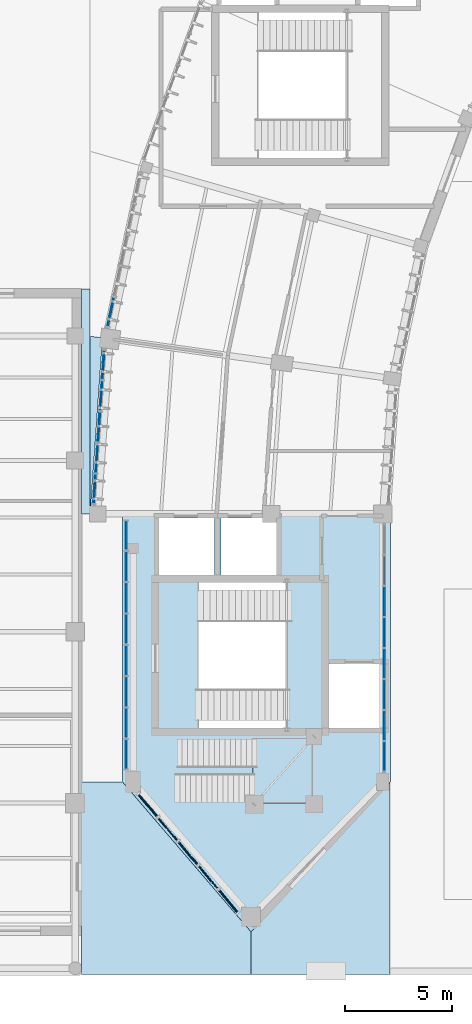
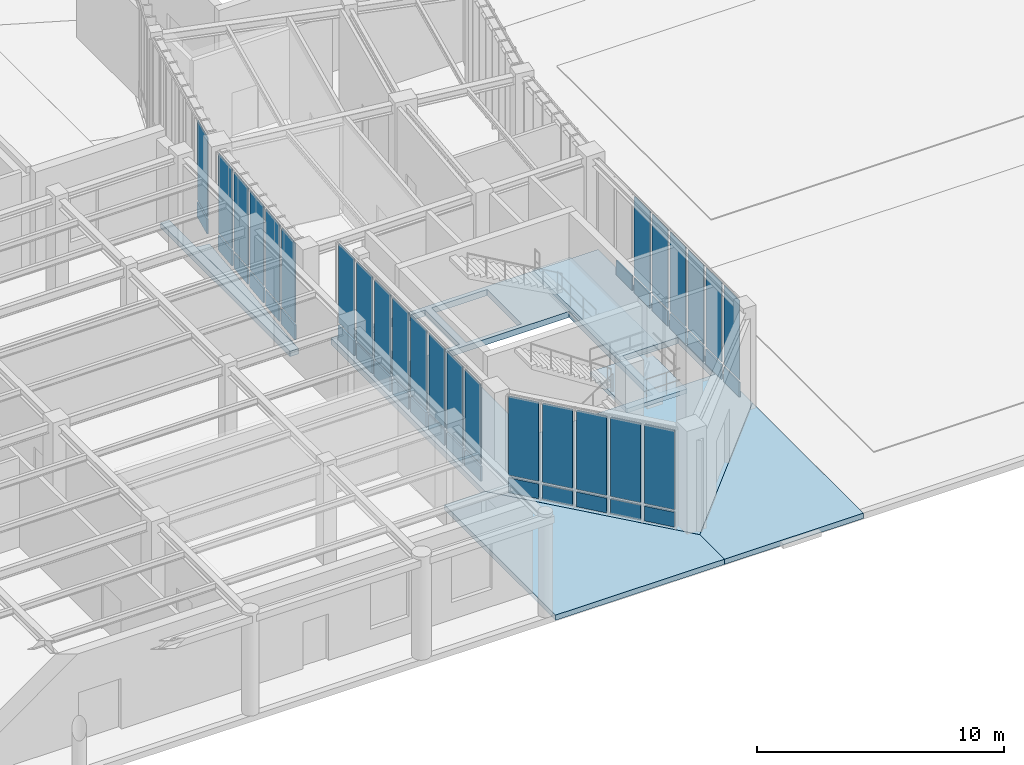
# One storey, part 20 of 68: 51 plates, 7 slabs, 7 elements without a shape of their own.
"""IFC4 building model written with IfcOpenShell, lengths in metres."""

from ifc_helpers import new_model, si_unit, direction, frame, origin, origin_2d, place, context, subcontext, project, spatial, polyline, rectangle, outline, extrude, material, layer, layer_set, type_object, element, aggregate, save


model = new_model("IFC4")

# Units and contexts
model_context = context("Model", 3, precision=1e-05, world=origin(), true_north=direction((0.0, 1.0)))
body_context = subcontext(model_context, "Body", "Model", "MODEL_VIEW")
ifc_project = project(units=[si_unit("LENGTHUNIT", "METRE"), si_unit("AREAUNIT", "SQUARE_METRE"), si_unit("VOLUMEUNIT", "CUBIC_METRE"), si_unit("PLANEANGLEUNIT", "RADIAN"), si_unit("MASSUNIT", "GRAM", prefix="KILO"), si_unit("THERMODYNAMICTEMPERATUREUNIT", "KELVIN"), si_unit("POWERUNIT", "WATT")], contexts=[model_context])

# Site, building, storey
site_placement = place(None, origin())
site = spatial("IfcSite", under=ifc_project, at=site_placement, CompositionType="ELEMENT")
building_placement = place(site_placement, origin())
building = spatial("IfcBuilding", under=site, at=building_placement, Name="Solvatero Civic Police Headquarters", CompositionType="ELEMENT")
storey_placement = place(building_placement, origin())
storey = spatial("IfcBuildingStorey", under=building, at=storey_placement, Name="L00", CompositionType="ELEMENT", Elevation=0.0)

# Curtain wall, plates
ifc_material_1 = material(Name="Anodized Bronze Aluminium", Category="aluminium")
ifc_layer_1 = layer(ifc_material_1, 0.179931640625)
ifc_layer_set_1 = layer_set([ifc_layer_1], Name="Anodized Bronze Aluminium")
curtain_wall_type_1 = type_object("IfcCurtainWallType", Name="CW-ARC-OUT", PredefinedType="USERDEFINED", material=ifc_layer_set_1)
curtain_wall_1_placement = place(storey_placement, origin())
curtain_wall_1 = element("IfcCurtainWall", 1, at=curtain_wall_1_placement, inside=storey, type_object=curtain_wall_type_1, Name="Curtain Wall CW-R2-L00-ARC-OUT-B12", ObjectType="UNITISED", PredefinedType="USERDEFINED")
ifc_material_2 = material(Name="Triple Low-E Laminated Glass", Category="glass")
ifc_layer_2 = layer(ifc_material_2, 0.0380859375)
ifc_layer_set_2 = layer_set([ifc_layer_2], Name="Triple Low-E Laminated Glass")
plate_type_1 = type_object("IfcPlateType", Name="CWP-GLZ-38", PredefinedType="CURTAIN_PANEL", material=ifc_layer_set_2)
plate_1_placement = place(storey_placement, frame((35.50537109375, 31.51171875, 0.91015625), z_axis=(0.0, 0.0, 1.0), x_axis=(-0.069756473744, -0.99756405026, 0.0)))
plate_1 = element("IfcPlate", 2, at=plate_1_placement, type_object=plate_type_1, Name="CW-R2-L00-ARC-OUT-B12 Vision Glazing 2", PredefinedType="CURTAIN_PANEL", context=body_context, shape_type="SweptSolid", body=[
    extrude(rectangle(XDim=1.275390625, YDim=0.0380859375, at=origin_2d()), origin(), (0.0, 0.0, 1.0), 3.909912109375),
])
plate_2_placement = place(storey_placement, frame((35.302490234375, 28.60791015625, 0.91015625), z_axis=(0.0, 0.0, 1.0), x_axis=(-0.069756473744, -0.99756405026, 0.0)))
plate_2 = element("IfcPlate", 3, at=plate_2_placement, type_object=plate_type_1, Name="CW-R2-L00-ARC-OUT-B12 Vision Glazing 4", PredefinedType="CURTAIN_PANEL", context=body_context, shape_type="SweptSolid", body=[
    extrude(rectangle(XDim=1.275390625, YDim=0.0380859375, at=origin_2d()), origin(), (0.0, 0.0, 1.0), 3.909912109375),
])

ifc_layer_3 = layer(ifc_material_1, 0.179931640625)
ifc_layer_set_3 = layer_set([ifc_layer_3], Name="Anodized Bronze Aluminium")
curtain_wall_type_2 = type_object("IfcCurtainWallType", Name="CW-PROW-GLZ", PredefinedType="USERDEFINED", material=ifc_layer_set_3)
curtain_wall_2_placement = place(storey_placement, origin())
curtain_wall_2 = element("IfcCurtainWall", 4, at=curtain_wall_2_placement, inside=storey, type_object=curtain_wall_type_2, Name="Curtain Wall CW-R2-L00-PROW-W", ObjectType="UNITISED", PredefinedType="USERDEFINED")
plate_3_placement = place(storey_placement, frame((36.679931640625, 23.546142578125, 0.91015625), z_axis=(0.0, 0.0, 1.0), x_axis=(0.0, -1.0, 0.0)))
plate_3 = element("IfcPlate", 5, at=plate_3_placement, type_object=plate_type_1, Name="CW-R2-L00-PROW-W Vision Glazing 2", PredefinedType="CURTAIN_PANEL", context=body_context, shape_type="SweptSolid", body=[
    extrude(rectangle(XDim=1.282470703125, YDim=0.0380859375, at=origin_2d()), origin(), (0.0, 0.0, 1.0), 3.909912109375),
])
plate_4_placement = place(storey_placement, frame((36.679931640625, 20.62109375, 0.91015625), z_axis=(0.0, 0.0, 1.0), x_axis=(0.0, -1.0, 0.0)))
plate_4 = element("IfcPlate", 6, at=plate_4_placement, type_object=plate_type_1, Name="CW-R2-L00-PROW-W Vision Glazing 4", PredefinedType="CURTAIN_PANEL", context=body_context, shape_type="SweptSolid", body=[
    extrude(rectangle(XDim=1.282470703125, YDim=0.0380859375, at=origin_2d()), origin(), (0.0, 0.0, 1.0), 3.909912109375),
])
plate_5_placement = place(storey_placement, frame((36.679931640625, 17.6962890625, 0.91015625), z_axis=(0.0, 0.0, 1.0), x_axis=(0.0, -1.0, 0.0)))
plate_5 = element("IfcPlate", 7, at=plate_5_placement, type_object=plate_type_1, Name="CW-R2-L00-PROW-W Vision Glazing 6", PredefinedType="CURTAIN_PANEL", context=body_context, shape_type="SweptSolid", body=[
    extrude(rectangle(XDim=1.282470703125, YDim=0.0380859375, at=origin_2d()), origin(), (0.0, 0.0, 1.0), 3.909912109375),
])
plate_6_placement = place(storey_placement, frame((36.679931640625, 14.771240234375, 0.91015625), z_axis=(0.0, 0.0, 1.0), x_axis=(0.0, -1.0, 0.0)))
plate_6 = element("IfcPlate", 8, at=plate_6_placement, type_object=plate_type_1, Name="CW-R2-L00-PROW-W Vision Glazing 8", PredefinedType="CURTAIN_PANEL", context=body_context, shape_type="SweptSolid", body=[
    extrude(rectangle(XDim=1.282470703125, YDim=0.0380859375, at=origin_2d()), origin(), (0.0, 0.0, 1.0), 3.909912109375),
])

curtain_wall_3_placement = place(storey_placement, origin())
curtain_wall_3 = element("IfcCurtainWall", 9, at=curtain_wall_3_placement, inside=storey, type_object=curtain_wall_type_2, Name="Curtain Wall CW-R2-L00-PROW-E", ObjectType="UNITISED", PredefinedType="USERDEFINED")
plate_7_placement = place(storey_placement, frame((48.719970703125, 14.664794921875, 0.91015625), z_axis=(0.0, 0.0, 1.0), x_axis=(0.0, 1.0, 0.0)))
plate_7 = element("IfcPlate", 10, at=plate_7_placement, type_object=plate_type_1, Name="CW-R2-L00-PROW-E Vision Glazing 1", PredefinedType="CURTAIN_PANEL", context=body_context, shape_type="SweptSolid", body=[
    extrude(rectangle(XDim=1.269287109375, YDim=0.0380859375, at=origin_2d()), origin(), (0.0, 0.0, 1.0), 3.909912109375),
])
plate_8_placement = place(storey_placement, frame((48.719970703125, 17.5634765625, 0.91015625), z_axis=(0.0, 0.0, 1.0), x_axis=(0.0, 1.0, 0.0)))
plate_8 = element("IfcPlate", 11, at=plate_8_placement, type_object=plate_type_1, Name="CW-R2-L00-PROW-E Vision Glazing 3", PredefinedType="CURTAIN_PANEL", context=body_context, shape_type="SweptSolid", body=[
    extrude(rectangle(XDim=1.269287109375, YDim=0.0380859375, at=origin_2d()), origin(), (0.0, 0.0, 1.0), 3.909912109375),
])
plate_9_placement = place(storey_placement, frame((48.719970703125, 20.462158203125, 0.91015625), z_axis=(0.0, 0.0, 1.0), x_axis=(0.0, 1.0, 0.0)))
plate_9 = element("IfcPlate", 12, at=plate_9_placement, type_object=plate_type_1, Name="CW-R2-L00-PROW-E Vision Glazing 5", PredefinedType="CURTAIN_PANEL", context=body_context, shape_type="SweptSolid", body=[
    extrude(rectangle(XDim=1.269287109375, YDim=0.0380859375, at=origin_2d()), origin(), (0.0, 0.0, 1.0), 3.909912109375),
])

curtain_wall_4_placement = place(storey_placement, origin())
curtain_wall_4 = element("IfcCurtainWall", 13, at=curtain_wall_4_placement, inside=storey, type_object=curtain_wall_type_2, Name="Curtain Wall CW-R2-L00-PROW-SW", ObjectType="UNITISED", PredefinedType="USERDEFINED")
plate_10_placement = place(storey_placement, frame((38.619140625, 11.2822265625, 0.91015625), z_axis=(0.0, 0.0, 1.0), x_axis=(0.643282165541, -0.765629189293, 0.0)))
plate_10 = element("IfcPlate", 14, at=plate_10_placement, type_object=plate_type_1, Name="CW-R2-L00-PROW-SW Vision Glazing 2", PredefinedType="CURTAIN_PANEL", context=body_context, shape_type="SweptSolid", body=[
    extrude(rectangle(XDim=1.286376953125, YDim=0.0380859375, at=origin_2d()), origin(), (0.0, 0.0, 1.0), 3.909912109375),
])
plate_11_placement = place(storey_placement, frame((40.505615234375, 9.037109375, 0.91015625), z_axis=(0.0, 0.0, 1.0), x_axis=(0.643282165541, -0.765629189293, 0.0)))
plate_11 = element("IfcPlate", 15, at=plate_11_placement, type_object=plate_type_1, Name="CW-R2-L00-PROW-SW Vision Glazing 4", PredefinedType="CURTAIN_PANEL", context=body_context, shape_type="SweptSolid", body=[
    extrude(rectangle(XDim=1.286376953125, YDim=0.0380859375, at=origin_2d()), origin(), (0.0, 0.0, 1.0), 3.909912109375),
])

# Curtain wall, plate
curtain_wall_5_placement = place(storey_placement, origin())
curtain_wall_5 = element("IfcCurtainWall", 16, at=curtain_wall_5_placement, inside=storey, type_object=curtain_wall_type_1, Name="Curtain Wall CW-R2-L00-ARC-OUT-B11", ObjectType="UNITISED", PredefinedType="USERDEFINED")
ifc_material_3 = material(Name="Acoustic Ballistic Laminated Glass", Category="glass")
ifc_layer_4 = layer(ifc_material_3, 0.0439453125)
ifc_layer_set_4 = layer_set([ifc_layer_4], Name="Acoustic Ballistic Laminated Glass")
plate_type_2 = type_object("IfcPlateType", Name="CWP-GLZ-44", PredefinedType="CURTAIN_PANEL", material=ifc_layer_set_4)
plate_12_placement = place(storey_placement, frame((35.9521484375, 35.41357421875, 0.91015625), z_axis=(0.0, 0.0, 1.0), x_axis=(-0.207911690818, -0.978147600734, 0.0)))
plate_12 = element("IfcPlate", 17, at=plate_12_placement, type_object=plate_type_2, Name="CW-R2-L00-ARC-OUT-B11 Vision Glazing 5", PredefinedType="CURTAIN_PANEL", context=body_context, shape_type="SweptSolid", body=[
    extrude(rectangle(XDim=1.300537109375, YDim=0.0439453125, at=origin_2d()), origin(), (0.0, 0.0, 1.0), 3.909912109375),
])

# Plate
plate_13_placement = place(storey_placement, frame((35.60693359375, 32.963623046875, 0.91015625), z_axis=(0.0, 0.0, 1.0), x_axis=(-0.069756473744, -0.99756405026, 0.0)))
plate_13 = element("IfcPlate", 18, at=plate_13_placement, type_object=plate_type_2, Name="CW-R2-L00-ARC-OUT-B12 Vision Glazing 1", PredefinedType="CURTAIN_PANEL", context=body_context, shape_type="SweptSolid", body=[
    extrude(rectangle(XDim=1.275390625, YDim=0.0439453125, at=origin_2d()), origin(), (0.0, 0.0, 1.0), 3.909912109375),
])

plate_14_placement = place(storey_placement, frame((35.40380859375, 30.059814453125, 0.91015625), z_axis=(0.0, 0.0, 1.0), x_axis=(-0.069756473744, -0.99756405026, 0.0)))
plate_14 = element("IfcPlate", 19, at=plate_14_placement, type_object=plate_type_2, Name="CW-R2-L00-ARC-OUT-B12 Vision Glazing 3", PredefinedType="CURTAIN_PANEL", context=body_context, shape_type="SweptSolid", body=[
    extrude(rectangle(XDim=1.275390625, YDim=0.0439453125, at=origin_2d()), origin(), (0.0, 0.0, 1.0), 3.909912109375),
])

plate_15_placement = place(storey_placement, frame((35.20068359375, 27.156005859375, 0.91015625), z_axis=(0.0, 0.0, 1.0), x_axis=(-0.069756473744, -0.99756405026, 0.0)))
plate_15 = element("IfcPlate", 20, at=plate_15_placement, type_object=plate_type_2, Name="CW-R2-L00-ARC-OUT-B12 Vision Glazing 5", PredefinedType="CURTAIN_PANEL", context=body_context, shape_type="SweptSolid", body=[
    extrude(rectangle(XDim=1.275390625, YDim=0.0439453125, at=origin_2d()), origin(), (0.0, 0.0, 1.0), 3.909912109375),
])

plate_16_placement = place(storey_placement, frame((36.679931640625, 25.0087890625, 0.91015625), z_axis=(0.0, 0.0, 1.0), x_axis=(0.0, -1.0, 0.0)))
plate_16 = element("IfcPlate", 21, at=plate_16_placement, type_object=plate_type_2, Name="CW-R2-L00-PROW-W Vision Glazing 1", PredefinedType="CURTAIN_PANEL", context=body_context, shape_type="SweptSolid", body=[
    extrude(rectangle(XDim=1.282470703125, YDim=0.0439453125, at=origin_2d()), origin(), (0.0, 0.0, 1.0), 3.909912109375),
])

plate_17_placement = place(storey_placement, frame((36.679931640625, 22.083740234375, 0.91015625), z_axis=(0.0, 0.0, 1.0), x_axis=(0.0, -1.0, 0.0)))
plate_17 = element("IfcPlate", 22, at=plate_17_placement, type_object=plate_type_2, Name="CW-R2-L00-PROW-W Vision Glazing 3", PredefinedType="CURTAIN_PANEL", context=body_context, shape_type="SweptSolid", body=[
    extrude(rectangle(XDim=1.282470703125, YDim=0.0439453125, at=origin_2d()), origin(), (0.0, 0.0, 1.0), 3.909912109375),
])

plate_18_placement = place(storey_placement, frame((36.679931640625, 19.15869140625, 0.91015625), z_axis=(0.0, 0.0, 1.0), x_axis=(0.0, -1.0, 0.0)))
plate_18 = element("IfcPlate", 23, at=plate_18_placement, type_object=plate_type_2, Name="CW-R2-L00-PROW-W Vision Glazing 5", PredefinedType="CURTAIN_PANEL", context=body_context, shape_type="SweptSolid", body=[
    extrude(rectangle(XDim=1.282470703125, YDim=0.0439453125, at=origin_2d()), origin(), (0.0, 0.0, 1.0), 3.909912109375),
])

plate_19_placement = place(storey_placement, frame((36.679931640625, 16.23388671875, 0.91015625), z_axis=(0.0, 0.0, 1.0), x_axis=(0.0, -1.0, 0.0)))
plate_19 = element("IfcPlate", 24, at=plate_19_placement, type_object=plate_type_2, Name="CW-R2-L00-PROW-W Vision Glazing 7", PredefinedType="CURTAIN_PANEL", context=body_context, shape_type="SweptSolid", body=[
    extrude(rectangle(XDim=1.282470703125, YDim=0.0439453125, at=origin_2d()), origin(), (0.0, 0.0, 1.0), 3.909912109375),
])

plate_20_placement = place(storey_placement, frame((48.719970703125, 16.114013671875, 0.91015625), z_axis=(0.0, 0.0, 1.0), x_axis=(0.0, 1.0, 0.0)))
plate_20 = element("IfcPlate", 25, at=plate_20_placement, type_object=plate_type_2, Name="CW-R2-L00-PROW-E Vision Glazing 2", PredefinedType="CURTAIN_PANEL", context=body_context, shape_type="SweptSolid", body=[
    extrude(rectangle(XDim=1.269287109375, YDim=0.0439453125, at=origin_2d()), origin(), (0.0, 0.0, 1.0), 3.909912109375),
])

plate_21_placement = place(storey_placement, frame((48.719970703125, 19.0126953125, 0.91015625), z_axis=(0.0, 0.0, 1.0), x_axis=(0.0, 1.0, 0.0)))
plate_21 = element("IfcPlate", 26, at=plate_21_placement, type_object=plate_type_2, Name="CW-R2-L00-PROW-E Vision Glazing 4", PredefinedType="CURTAIN_PANEL", context=body_context, shape_type="SweptSolid", body=[
    extrude(rectangle(XDim=1.269287109375, YDim=0.0439453125, at=origin_2d()), origin(), (0.0, 0.0, 1.0), 3.909912109375),
])

plate_22_placement = place(storey_placement, frame((48.719970703125, 21.91162109375, 0.91015625), z_axis=(0.0, 0.0, 1.0), x_axis=(0.0, 1.0, 0.0)))
plate_22 = element("IfcPlate", 27, at=plate_22_placement, type_object=plate_type_2, Name="CW-R2-L00-PROW-E Vision Glazing 6", PredefinedType="CURTAIN_PANEL", context=body_context, shape_type="SweptSolid", body=[
    extrude(rectangle(XDim=1.269287109375, YDim=0.0439453125, at=origin_2d()), origin(), (0.0, 0.0, 1.0), 3.909912109375),
])

plate_23_placement = place(storey_placement, frame((37.67578125, 12.405029296875, 0.91015625), z_axis=(0.0, 0.0, 1.0), x_axis=(0.643282165541, -0.765629189293, 0.0)))
plate_23 = element("IfcPlate", 28, at=plate_23_placement, type_object=plate_type_2, Name="CW-R2-L00-PROW-SW Vision Glazing 1", PredefinedType="CURTAIN_PANEL", context=body_context, shape_type="SweptSolid", body=[
    extrude(rectangle(XDim=1.286376953125, YDim=0.0439453125, at=origin_2d()), origin(), (0.0, 0.0, 1.0), 3.909912109375),
])

plate_24_placement = place(storey_placement, frame((39.5625, 10.15966796875, 0.91015625), z_axis=(0.0, 0.0, 1.0), x_axis=(0.643282165541, -0.765629189293, 0.0)))
plate_24 = element("IfcPlate", 29, at=plate_24_placement, type_object=plate_type_2, Name="CW-R2-L00-PROW-SW Vision Glazing 3", PredefinedType="CURTAIN_PANEL", context=body_context, shape_type="SweptSolid", body=[
    extrude(rectangle(XDim=1.286376953125, YDim=0.0439453125, at=origin_2d()), origin(), (0.0, 0.0, 1.0), 3.909912109375),
])

plate_25_placement = place(storey_placement, frame((41.448974609375, 7.914306640625, 0.91015625), z_axis=(0.0, 0.0, 1.0), x_axis=(0.643282165541, -0.765629189293, 0.0)))
plate_25 = element("IfcPlate", 30, at=plate_25_placement, type_object=plate_type_2, Name="CW-R2-L00-PROW-SW Vision Glazing 5", PredefinedType="CURTAIN_PANEL", context=body_context, shape_type="SweptSolid", body=[
    extrude(rectangle(XDim=1.286376953125, YDim=0.0439453125, at=origin_2d()), origin(), (0.0, 0.0, 1.0), 3.909912109375),
])

ifc_material_4 = material(Name="Insulated Bronze Aluminium Spandrel", Category="aluminium")
ifc_layer_5 = layer(ifc_material_4, 0.06005859375)
ifc_layer_set_5 = layer_set([ifc_layer_5], Name="Insulated Bronze Aluminium Spandrel")
plate_type_3 = type_object("IfcPlateType", Name="CWP-SPN-60", PredefinedType="CURTAIN_PANEL", material=ifc_layer_set_5)
plate_26_placement = place(storey_placement, frame((35.50537109375, 31.51171875, 0.06005859375), z_axis=(0.0, 0.0, 1.0), x_axis=(-0.069756473744, -0.99756405026, 0.0)))
plate_26 = element("IfcPlate", 31, at=plate_26_placement, type_object=plate_type_3, Name="CW-R2-L00-ARC-OUT-B12 Spandrel Panel 2", PredefinedType="CURTAIN_PANEL", context=body_context, shape_type="SweptSolid", body=[
    extrude(rectangle(XDim=1.275390625, YDim=0.06005859375, at=origin_2d()), origin(), (0.0, 0.0, 1.0), 0.72998046875),
])

plate_27_placement = place(storey_placement, frame((35.302490234375, 28.60791015625, 0.06005859375), z_axis=(0.0, 0.0, 1.0), x_axis=(-0.069756473744, -0.99756405026, 0.0)))
plate_27 = element("IfcPlate", 32, at=plate_27_placement, type_object=plate_type_3, Name="CW-R2-L00-ARC-OUT-B12 Spandrel Panel 4", PredefinedType="CURTAIN_PANEL", context=body_context, shape_type="SweptSolid", body=[
    extrude(rectangle(XDim=1.275390625, YDim=0.06005859375, at=origin_2d()), origin(), (0.0, 0.0, 1.0), 0.72998046875),
])

plate_28_placement = place(storey_placement, frame((36.679931640625, 23.546142578125, 0.06005859375), z_axis=(0.0, 0.0, 1.0), x_axis=(0.0, -1.0, 0.0)))
plate_28 = element("IfcPlate", 33, at=plate_28_placement, type_object=plate_type_3, Name="CW-R2-L00-PROW-W Spandrel Panel 2", PredefinedType="CURTAIN_PANEL", context=body_context, shape_type="SweptSolid", body=[
    extrude(rectangle(XDim=1.282470703125, YDim=0.06005859375, at=origin_2d()), origin(), (0.0, 0.0, 1.0), 0.72998046875),
])

plate_29_placement = place(storey_placement, frame((36.679931640625, 20.62109375, 0.06005859375), z_axis=(0.0, 0.0, 1.0), x_axis=(0.0, -1.0, 0.0)))
plate_29 = element("IfcPlate", 34, at=plate_29_placement, type_object=plate_type_3, Name="CW-R2-L00-PROW-W Spandrel Panel 4", PredefinedType="CURTAIN_PANEL", context=body_context, shape_type="SweptSolid", body=[
    extrude(rectangle(XDim=1.282470703125, YDim=0.06005859375, at=origin_2d()), origin(), (0.0, 0.0, 1.0), 0.72998046875),
])

plate_30_placement = place(storey_placement, frame((36.679931640625, 17.6962890625, 0.06005859375), z_axis=(0.0, 0.0, 1.0), x_axis=(0.0, -1.0, 0.0)))
plate_30 = element("IfcPlate", 35, at=plate_30_placement, type_object=plate_type_3, Name="CW-R2-L00-PROW-W Spandrel Panel 6", PredefinedType="CURTAIN_PANEL", context=body_context, shape_type="SweptSolid", body=[
    extrude(rectangle(XDim=1.282470703125, YDim=0.06005859375, at=origin_2d()), origin(), (0.0, 0.0, 1.0), 0.72998046875),
])

plate_31_placement = place(storey_placement, frame((36.679931640625, 14.771240234375, 0.06005859375), z_axis=(0.0, 0.0, 1.0), x_axis=(0.0, -1.0, 0.0)))
plate_31 = element("IfcPlate", 36, at=plate_31_placement, type_object=plate_type_3, Name="CW-R2-L00-PROW-W Spandrel Panel 8", PredefinedType="CURTAIN_PANEL", context=body_context, shape_type="SweptSolid", body=[
    extrude(rectangle(XDim=1.282470703125, YDim=0.06005859375, at=origin_2d()), origin(), (0.0, 0.0, 1.0), 0.72998046875),
])

plate_32_placement = place(storey_placement, frame((48.719970703125, 14.664794921875, 0.06005859375), z_axis=(0.0, 0.0, 1.0), x_axis=(0.0, 1.0, 0.0)))
plate_32 = element("IfcPlate", 37, at=plate_32_placement, type_object=plate_type_3, Name="CW-R2-L00-PROW-E Spandrel Panel 1", PredefinedType="CURTAIN_PANEL", context=body_context, shape_type="SweptSolid", body=[
    extrude(rectangle(XDim=1.269287109375, YDim=0.06005859375, at=origin_2d()), origin(), (0.0, 0.0, 1.0), 0.72998046875),
])

plate_33_placement = place(storey_placement, frame((48.719970703125, 17.5634765625, 0.06005859375), z_axis=(0.0, 0.0, 1.0), x_axis=(0.0, 1.0, 0.0)))
plate_33 = element("IfcPlate", 38, at=plate_33_placement, type_object=plate_type_3, Name="CW-R2-L00-PROW-E Spandrel Panel 3", PredefinedType="CURTAIN_PANEL", context=body_context, shape_type="SweptSolid", body=[
    extrude(rectangle(XDim=1.269287109375, YDim=0.06005859375, at=origin_2d()), origin(), (0.0, 0.0, 1.0), 0.72998046875),
])

plate_34_placement = place(storey_placement, frame((48.719970703125, 20.462158203125, 0.06005859375), z_axis=(0.0, 0.0, 1.0), x_axis=(0.0, 1.0, 0.0)))
plate_34 = element("IfcPlate", 39, at=plate_34_placement, type_object=plate_type_3, Name="CW-R2-L00-PROW-E Spandrel Panel 5", PredefinedType="CURTAIN_PANEL", context=body_context, shape_type="SweptSolid", body=[
    extrude(rectangle(XDim=1.269287109375, YDim=0.06005859375, at=origin_2d()), origin(), (0.0, 0.0, 1.0), 0.72998046875),
])

plate_35_placement = place(storey_placement, frame((48.719970703125, 23.36083984375, 0.06005859375), z_axis=(0.0, 0.0, 1.0), x_axis=(0.0, 1.0, 0.0)))
plate_35 = element("IfcPlate", 40, at=plate_35_placement, type_object=plate_type_3, Name="CW-R2-L00-PROW-E Spandrel Panel 7", PredefinedType="CURTAIN_PANEL", context=body_context, shape_type="SweptSolid", body=[
    extrude(rectangle(XDim=1.269287109375, YDim=0.06005859375, at=origin_2d()), origin(), (0.0, 0.0, 1.0), 0.72998046875),
])

plate_36_placement = place(storey_placement, frame((38.619140625, 11.2822265625, 0.06005859375), z_axis=(0.0, 0.0, 1.0), x_axis=(0.643282165541, -0.765629189293, 0.0)))
plate_36 = element("IfcPlate", 41, at=plate_36_placement, type_object=plate_type_3, Name="CW-R2-L00-PROW-SW Spandrel Panel 2", PredefinedType="CURTAIN_PANEL", context=body_context, shape_type="SweptSolid", body=[
    extrude(rectangle(XDim=1.286376953125, YDim=0.06005859375, at=origin_2d()), origin(), (0.0, 0.0, 1.0), 0.72998046875),
])

plate_37_placement = place(storey_placement, frame((40.505615234375, 9.037109375, 0.06005859375), z_axis=(0.0, 0.0, 1.0), x_axis=(0.643282165541, -0.765629189293, 0.0)))
plate_37 = element("IfcPlate", 42, at=plate_37_placement, type_object=plate_type_3, Name="CW-R2-L00-PROW-SW Spandrel Panel 4", PredefinedType="CURTAIN_PANEL", context=body_context, shape_type="SweptSolid", body=[
    extrude(rectangle(XDim=1.286376953125, YDim=0.06005859375, at=origin_2d()), origin(), (0.0, 0.0, 1.0), 0.72998046875),
])

ifc_material_5 = material(Name="Limestone Veneer Spandrel Panel", Category="masonry")
ifc_layer_6 = layer(ifc_material_5, 0.074951171875)
ifc_layer_set_6 = layer_set([ifc_layer_6], Name="Limestone Veneer Spandrel Panel")
plate_type_4 = type_object("IfcPlateType", Name="CWP-SPN-75", PredefinedType="CURTAIN_PANEL", material=ifc_layer_set_6)
plate_38_placement = place(storey_placement, frame((35.9521484375, 35.41357421875, 0.06005859375), z_axis=(0.0, 0.0, 1.0), x_axis=(-0.207911690818, -0.978147600734, 0.0)))
plate_38 = element("IfcPlate", 43, at=plate_38_placement, type_object=plate_type_4, Name="CW-R2-L00-ARC-OUT-B11 Spandrel Panel 5", PredefinedType="CURTAIN_PANEL", context=body_context, shape_type="SweptSolid", body=[
    extrude(rectangle(XDim=1.300537109375, YDim=0.074951171875, at=origin_2d()), origin(), (0.0, 0.0, 1.0), 0.72998046875),
])

aggregate(curtain_wall_5, [plate_38, plate_12])

plate_39_placement = place(storey_placement, frame((35.60693359375, 32.963623046875, 0.06005859375), z_axis=(0.0, 0.0, 1.0), x_axis=(-0.069756473744, -0.99756405026, 0.0)))
plate_39 = element("IfcPlate", 44, at=plate_39_placement, type_object=plate_type_4, Name="CW-R2-L00-ARC-OUT-B12 Spandrel Panel 1", PredefinedType="CURTAIN_PANEL", context=body_context, shape_type="SweptSolid", body=[
    extrude(rectangle(XDim=1.275390625, YDim=0.074951171875, at=origin_2d()), origin(), (0.0, 0.0, 1.0), 0.72998046875),
])

plate_40_placement = place(storey_placement, frame((35.40380859375, 30.059814453125, 0.06005859375), z_axis=(0.0, 0.0, 1.0), x_axis=(-0.069756473744, -0.99756405026, 0.0)))
plate_40 = element("IfcPlate", 45, at=plate_40_placement, type_object=plate_type_4, Name="CW-R2-L00-ARC-OUT-B12 Spandrel Panel 3", PredefinedType="CURTAIN_PANEL", context=body_context, shape_type="SweptSolid", body=[
    extrude(rectangle(XDim=1.275390625, YDim=0.074951171875, at=origin_2d()), origin(), (0.0, 0.0, 1.0), 0.72998046875),
])

plate_41_placement = place(storey_placement, frame((35.20068359375, 27.156005859375, 0.06005859375), z_axis=(0.0, 0.0, 1.0), x_axis=(-0.069756473744, -0.99756405026, 0.0)))
plate_41 = element("IfcPlate", 46, at=plate_41_placement, type_object=plate_type_4, Name="CW-R2-L00-ARC-OUT-B12 Spandrel Panel 5", PredefinedType="CURTAIN_PANEL", context=body_context, shape_type="SweptSolid", body=[
    extrude(rectangle(XDim=1.275390625, YDim=0.074951171875, at=origin_2d()), origin(), (0.0, 0.0, 1.0), 0.72998046875),
])

aggregate(curtain_wall_1, [plate_39, plate_13, plate_26, plate_1, plate_40, plate_14, plate_27, plate_2, plate_41, plate_15])

plate_42_placement = place(storey_placement, frame((36.679931640625, 25.0087890625, 0.06005859375), z_axis=(0.0, 0.0, 1.0), x_axis=(0.0, -1.0, 0.0)))
plate_42 = element("IfcPlate", 47, at=plate_42_placement, type_object=plate_type_4, Name="CW-R2-L00-PROW-W Spandrel Panel 1", PredefinedType="CURTAIN_PANEL", context=body_context, shape_type="SweptSolid", body=[
    extrude(rectangle(XDim=1.282470703125, YDim=0.074951171875, at=origin_2d()), origin(), (0.0, 0.0, 1.0), 0.72998046875),
])

plate_43_placement = place(storey_placement, frame((36.679931640625, 22.083740234375, 0.06005859375), z_axis=(0.0, 0.0, 1.0), x_axis=(0.0, -1.0, 0.0)))
plate_43 = element("IfcPlate", 48, at=plate_43_placement, type_object=plate_type_4, Name="CW-R2-L00-PROW-W Spandrel Panel 3", PredefinedType="CURTAIN_PANEL", context=body_context, shape_type="SweptSolid", body=[
    extrude(rectangle(XDim=1.282470703125, YDim=0.074951171875, at=origin_2d()), origin(), (0.0, 0.0, 1.0), 0.72998046875),
])

plate_44_placement = place(storey_placement, frame((36.679931640625, 19.15869140625, 0.06005859375), z_axis=(0.0, 0.0, 1.0), x_axis=(0.0, -1.0, 0.0)))
plate_44 = element("IfcPlate", 49, at=plate_44_placement, type_object=plate_type_4, Name="CW-R2-L00-PROW-W Spandrel Panel 5", PredefinedType="CURTAIN_PANEL", context=body_context, shape_type="SweptSolid", body=[
    extrude(rectangle(XDim=1.282470703125, YDim=0.074951171875, at=origin_2d()), origin(), (0.0, 0.0, 1.0), 0.72998046875),
])

plate_45_placement = place(storey_placement, frame((36.679931640625, 16.23388671875, 0.06005859375), z_axis=(0.0, 0.0, 1.0), x_axis=(0.0, -1.0, 0.0)))
plate_45 = element("IfcPlate", 50, at=plate_45_placement, type_object=plate_type_4, Name="CW-R2-L00-PROW-W Spandrel Panel 7", PredefinedType="CURTAIN_PANEL", context=body_context, shape_type="SweptSolid", body=[
    extrude(rectangle(XDim=1.282470703125, YDim=0.074951171875, at=origin_2d()), origin(), (0.0, 0.0, 1.0), 0.72998046875),
])

aggregate(curtain_wall_2, [plate_42, plate_16, plate_28, plate_3, plate_43, plate_17, plate_29, plate_4, plate_44, plate_18, plate_30, plate_5, plate_45, plate_19, plate_31, plate_6])

plate_46_placement = place(storey_placement, frame((48.719970703125, 16.114013671875, 0.06005859375), z_axis=(0.0, 0.0, 1.0), x_axis=(0.0, 1.0, 0.0)))
plate_46 = element("IfcPlate", 51, at=plate_46_placement, type_object=plate_type_4, Name="CW-R2-L00-PROW-E Spandrel Panel 2", PredefinedType="CURTAIN_PANEL", context=body_context, shape_type="SweptSolid", body=[
    extrude(rectangle(XDim=1.269287109375, YDim=0.074951171875, at=origin_2d()), origin(), (0.0, 0.0, 1.0), 0.72998046875),
])

plate_47_placement = place(storey_placement, frame((48.719970703125, 19.0126953125, 0.06005859375), z_axis=(0.0, 0.0, 1.0), x_axis=(0.0, 1.0, 0.0)))
plate_47 = element("IfcPlate", 52, at=plate_47_placement, type_object=plate_type_4, Name="CW-R2-L00-PROW-E Spandrel Panel 4", PredefinedType="CURTAIN_PANEL", context=body_context, shape_type="SweptSolid", body=[
    extrude(rectangle(XDim=1.269287109375, YDim=0.074951171875, at=origin_2d()), origin(), (0.0, 0.0, 1.0), 0.72998046875),
])

plate_48_placement = place(storey_placement, frame((48.719970703125, 21.91162109375, 0.06005859375), z_axis=(0.0, 0.0, 1.0), x_axis=(0.0, 1.0, 0.0)))
plate_48 = element("IfcPlate", 53, at=plate_48_placement, type_object=plate_type_4, Name="CW-R2-L00-PROW-E Spandrel Panel 6", PredefinedType="CURTAIN_PANEL", context=body_context, shape_type="SweptSolid", body=[
    extrude(rectangle(XDim=1.269287109375, YDim=0.074951171875, at=origin_2d()), origin(), (0.0, 0.0, 1.0), 0.72998046875),
])

aggregate(curtain_wall_3, [plate_32, plate_7, plate_46, plate_20, plate_33, plate_8, plate_47, plate_21, plate_34, plate_9, plate_48, plate_22, plate_35])

plate_49_placement = place(storey_placement, frame((37.67578125, 12.405029296875, 0.06005859375), z_axis=(0.0, 0.0, 1.0), x_axis=(0.643282165541, -0.765629189293, 0.0)))
plate_49 = element("IfcPlate", 54, at=plate_49_placement, type_object=plate_type_4, Name="CW-R2-L00-PROW-SW Spandrel Panel 1", PredefinedType="CURTAIN_PANEL", context=body_context, shape_type="SweptSolid", body=[
    extrude(rectangle(XDim=1.286376953125, YDim=0.074951171875, at=origin_2d()), origin(), (0.0, 0.0, 1.0), 0.72998046875),
])

plate_50_placement = place(storey_placement, frame((39.5625, 10.15966796875, 0.06005859375), z_axis=(0.0, 0.0, 1.0), x_axis=(0.643282165541, -0.765629189293, 0.0)))
plate_50 = element("IfcPlate", 55, at=plate_50_placement, type_object=plate_type_4, Name="CW-R2-L00-PROW-SW Spandrel Panel 3", PredefinedType="CURTAIN_PANEL", context=body_context, shape_type="SweptSolid", body=[
    extrude(rectangle(XDim=1.286376953125, YDim=0.074951171875, at=origin_2d()), origin(), (0.0, 0.0, 1.0), 0.72998046875),
])

plate_51_placement = place(storey_placement, frame((41.448974609375, 7.914306640625, 0.06005859375), z_axis=(0.0, 0.0, 1.0), x_axis=(0.643282165541, -0.765629189293, 0.0)))
plate_51 = element("IfcPlate", 56, at=plate_51_placement, type_object=plate_type_4, Name="CW-R2-L00-PROW-SW Spandrel Panel 5", PredefinedType="CURTAIN_PANEL", context=body_context, shape_type="SweptSolid", body=[
    extrude(rectangle(XDim=1.286376953125, YDim=0.074951171875, at=origin_2d()), origin(), (0.0, 0.0, 1.0), 0.72998046875),
])

aggregate(curtain_wall_4, [plate_49, plate_23, plate_36, plate_10, plate_50, plate_24, plate_37, plate_11, plate_51, plate_25])

# Stair, slab
ifc_material_6 = material(Name="Precast concrete C40/50", Category="concrete")
stair_type_1 = type_object("IfcStairType", Name="STR-C150-510", PredefinedType="HALF_TURN_STAIR", material=ifc_material_6)
stair_1_placement = place(storey_placement, origin())
stair_1 = element("IfcStair", 57, at=stair_1_placement, inside=storey, type_object=stair_type_1, Name="Protected Exit Stair ST-C1 (L00 to L01)", PredefinedType="HALF_TURN_STAIR")
ifc_layer_7 = layer(ifc_material_6, 0.199951171875)
ifc_layer_set_7 = layer_set([ifc_layer_7], Name="Precast concrete C40/50")
slab_type_1 = type_object("IfcSlabType", Name="SLB-LND-200", PredefinedType="LANDING", material=ifc_layer_set_7)
slab_1_placement = place(storey_placement, frame((0.0, 0.0, 2.35009765625)))
slab_1 = element("IfcSlab", 58, at=slab_1_placement, type_object=slab_type_1, Name="ST-C1 L00 Half-Landing", PredefinedType="LANDING", context=body_context, shape_type="SweptSolid", body=[
    extrude(outline(polyline([(44.1650390625, 15.85009765625), (45.949951171875, 15.85009765625), (45.949951171875, 22.949951171875), (44.1650390625, 22.949951171875), (44.1650390625, 15.85009765625)])), origin(), (0.0, 0.0, 1.0), 0.199951171875),
])
aggregate(stair_1, [slab_1])

stair_type_2 = type_object("IfcStairType", Name="STR-PRW-510", PredefinedType="HALF_TURN_STAIR", material=ifc_material_6)
stair_2_placement = place(storey_placement, origin())
stair_2 = element("IfcStair", 59, at=stair_2_placement, inside=storey, type_object=stair_type_2, Name="Glazed Prow Ceremonial Stair (L00 to L01)", PredefinedType="HALF_TURN_STAIR")
ifc_layer_8 = layer(ifc_material_6, 0.215087890625)
ifc_layer_set_8 = layer_set([ifc_layer_8], Name="Precast concrete C40/50")
slab_type_2 = type_object("IfcSlabType", Name="SLB-LND-215", PredefinedType="LANDING", material=ifc_layer_set_8)
slab_2_placement = place(storey_placement, frame((0.0, 0.0, 2.3349609375)))
slab_2 = element("IfcSlab", 60, at=slab_2_placement, type_object=slab_type_2, Name="ST-PRW L00 Glazed Prow Half-Landing", PredefinedType="LANDING", context=body_context, shape_type="SweptSolid", body=[
    extrude(outline(polyline([(42.570068359375, 12.52001953125), (45.3798828125, 12.52001953125), (45.3798828125, 15.530029296875), (42.570068359375, 15.530029296875), (42.570068359375, 12.52001953125)])), origin(), (0.0, 0.0, 1.0), 0.215087890625),
])
aggregate(stair_2, [slab_2])

# Slabs
ifc_material_7 = material(Name="Concrete C40/50", Category="concrete")
ifc_layer_9 = layer(ifc_material_7, 0.300048828125)
ifc_layer_set_9 = layer_set([ifc_layer_9], Name="Concrete C40/50")
slab_type_3 = type_object("IfcSlabType", Name="SLB-RC-300", PredefinedType="FLOOR", material=ifc_layer_set_9)
slab_3_placement = place(storey_placement, frame((0.0, 0.0, -0.300048828125)))
element("IfcSlab", 61, at=slab_3_placement, inside=storey, type_object=slab_type_3, Name="L00 South-West Prow Floor Slab", PredefinedType="FLOOR", context=body_context, shape_type="SweptSolid", body=[
    extrude(outline(polyline([(49.0, 13.5), (42.5, 6.5), (36.5, 13.5), (36.5, 26.0), (49.0, 26.0), (49.0, 13.5)]), holes=[polyline([(46.10009765625, 16.0), (48.699951171875, 16.0), (48.699951171875, 19.0), (46.10009765625, 19.0), (46.10009765625, 16.0)]), polyline([(40.06005859375, 16.0), (45.800048828125, 16.0), (45.800048828125, 22.800048828125), (40.06005859375, 22.800048828125), (40.06005859375, 16.0)]), polyline([(38.199951171875, 23.0), (40.800048828125, 23.0), (40.800048828125, 25.800048828125), (38.199951171875, 25.800048828125), (38.199951171875, 23.0)]), polyline([(41.10009765625, 23.0), (43.699951171875, 23.0), (43.699951171875, 25.800048828125), (41.10009765625, 25.800048828125), (41.10009765625, 23.0)])]), origin(), (0.0, 0.0, 1.0), 0.300048828125),
])
ifc_material_8 = material(Name="Concrete C35/45", Category="concrete")
ifc_layer_10 = layer(ifc_material_8, 0.260009765625)
ifc_layer_set_10 = layer_set([ifc_layer_10], Name="Concrete C35/45")
slab_type_4 = type_object("IfcSlabType", Name="SLB-TERR-260", PredefinedType="FLOOR", material=ifc_layer_set_10)
slab_4_placement = place(storey_placement, frame((0.0, 0.0, -0.260009765625)))
element("IfcSlab", 62, at=slab_4_placement, inside=storey, type_object=slab_type_4, Name="L00 South-West Forecourt Apron West", PredefinedType="FLOOR", context=body_context, shape_type="SweptSolid", body=[
    extrude(outline(polyline([(36.498046875, 13.5), (42.5, 6.4970703125), (42.5, 4.5), (34.60205078125, 4.5), (34.60205078125, 13.5), (36.498046875, 13.5)])), origin(), (0.0, 0.0, 1.0), 0.260009765625),
])
slab_5_placement = place(storey_placement, frame((0.0, 0.0, -0.260009765625)))
element("IfcSlab", 63, at=slab_5_placement, inside=storey, type_object=slab_type_4, Name="L00 South-West Forecourt Apron East", PredefinedType="FLOOR", context=body_context, shape_type="SweptSolid", body=[
    extrude(outline(polyline([(42.501953125, 4.5), (42.501953125, 6.497802734375), (42.50146484375, 6.49853515625), (48.998046875, 13.494873046875), (48.998046875, 4.5), (42.501953125, 4.5)])), origin(), (0.0, 0.0, 1.0), 0.260009765625),
])
slab_6_placement = place(storey_placement, frame((0.0, 0.0, -0.260009765625)))
element("IfcSlab", 64, at=slab_6_placement, inside=storey, type_object=slab_type_4, Name="L00 Walkable roof terrace slab SLB-L00-CROUT-B12", PredefinedType="FLOOR", context=body_context, shape_type="SweptSolid", body=[
    extrude(outline(polyline([(35.0, 34.289794921875), (35.572021484375, 34.20947265625), (35.0, 26.02880859375), (35.0, 34.289794921875)])), origin(), (0.0, 0.0, 1.0), 0.260009765625),
])
slab_7_placement = place(storey_placement, frame((0.0, 0.0, -0.260009765625)))
element("IfcSlab", 65, at=slab_7_placement, inside=storey, type_object=slab_type_4, Name="L00 Walkable roof terrace slab SLB-L00-COURT-FILL-P2", PredefinedType="FLOOR", context=body_context, shape_type="SweptSolid", body=[
    extrude(outline(polyline([(34.998046875, 36.498046875), (34.998046875, 26.018798828125), (34.999267578125, 26.018798828125), (34.998046875, 26.001953125), (34.60205078125, 26.001953125), (34.60205078125, 36.498046875), (34.998046875, 36.498046875)])), origin(), (0.0, 0.0, 1.0), 0.260009765625),
])

save(model, "model.ifc")
